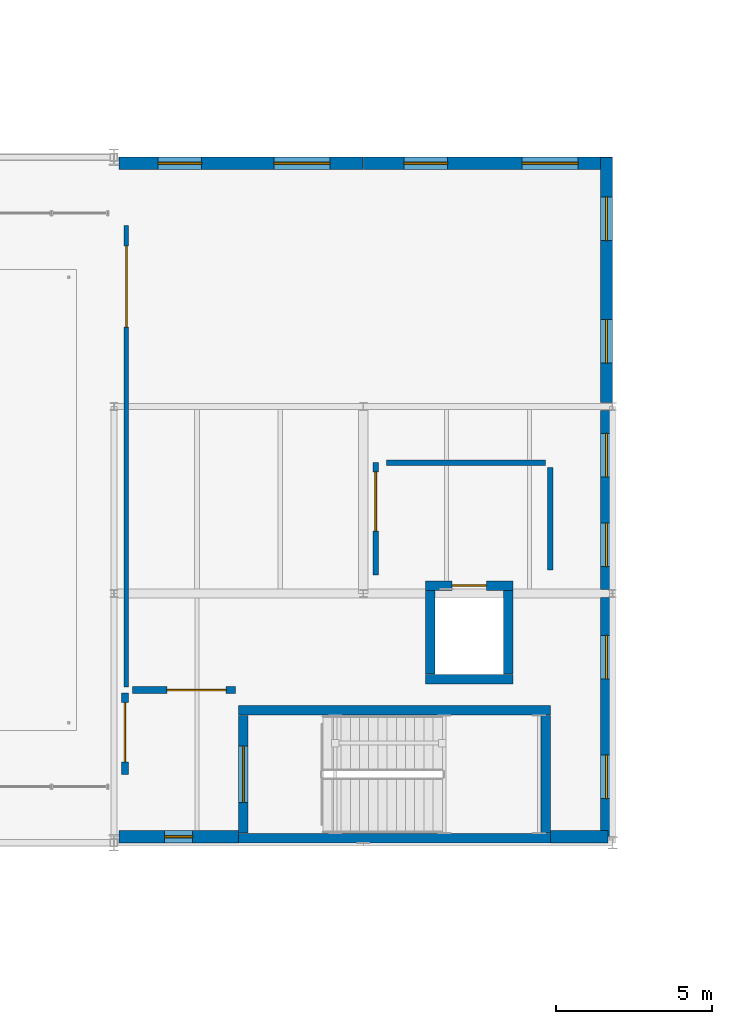
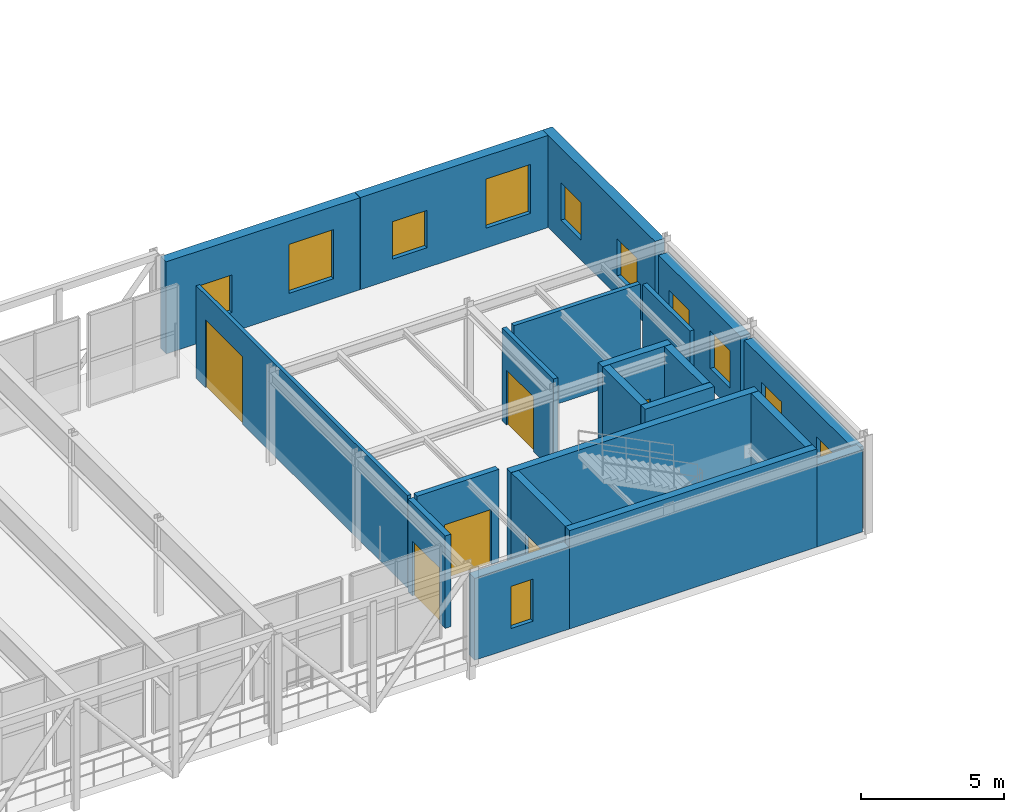
# One storey, part 80 of 124: 21 walls, 11 windows, 6 doors, 17 openings.
"""IFC4 building model written with IfcOpenShell, lengths in metres."""

from ifc_helpers import new_model, si_unit, direction, frame, frame_2d, origin, place, context, subcontext, project, spatial, rectangle, extrude, material, layer, layer_set, type_object, element, fill, save


model = new_model("IFC4")

# Units and contexts
model_context = context("Model", 3, precision=1e-05, world=origin(), true_north=direction((0.0, 1.0)))
body_context = subcontext(model_context, "Body", "Model", "MODEL_VIEW")
ifc_project = project(units=[si_unit("LENGTHUNIT", "METRE"), si_unit("AREAUNIT", "SQUARE_METRE"), si_unit("VOLUMEUNIT", "CUBIC_METRE"), si_unit("PLANEANGLEUNIT", "RADIAN"), si_unit("MASSUNIT", "GRAM", prefix="KILO")], contexts=[model_context])

# Site, building, storey
site_placement = place(None, origin())
site = spatial("IfcSite", under=ifc_project, at=site_placement, CompositionType="ELEMENT")
building_placement = place(site_placement, origin())
building = spatial("IfcBuilding", under=site, at=building_placement, Name="Sundkrona Museum", CompositionType="ELEMENT")
storey_placement = place(building_placement, frame((0.0, 0.0, 17.60009765625)))
storey = spatial("IfcBuildingStorey", under=building, at=storey_placement, Name="L03", CompositionType="ELEMENT", Elevation=17.60009765625)

# Walls
ifc_material_1 = material(Name="Concrete C40/50", Category="concrete")
ifc_layer_1 = layer(ifc_material_1, 0.300048828125)
ifc_layer_set_1 = layer_set([ifc_layer_1], Name="Concrete C40/50")
wall_type_1 = type_object("IfcWallType", Name="W-CORE-300", PredefinedType="SHEAR", material=ifc_layer_set_1)
for number, where, z_axis, x_axis, name in (
    (1, (28.0, 32.14990234375, 0.0), (0.0, 0.0, 1.0), (1.0, 0.0, 0.0), "L03 ST-4 Core Shear Wall South"),
    (2, (28.0, 36.25, 0.0), (0.0, 0.0, 1.0), (1.0, 0.0, 0.0), "L03 ST-4 Core Shear Wall North"),
):
    element("IfcWall", number, at=place(storey_placement, frame(where, z_axis=z_axis, x_axis=x_axis)), inside=storey, type_object=wall_type_1, Name=name, PredefinedType="SHEAR", context=body_context, shape_type="SweptSolid", body=[
        extrude(rectangle(XDim=10.0, YDim=0.300048828125, at=frame_2d((5.0, 0.0))), origin(), (0.0, 0.0, 1.0), 4.199951171875),
    ])

# Wall, opening, door
wall_1_placement = place(storey_placement, frame((28.14990234375, 32.31005859375, 0.0), z_axis=(0.0, 0.0, 1.0), x_axis=(0.0, 1.0, 0.0)))
wall_1 = element("IfcWall", 3, at=wall_1_placement, inside=storey, type_object=wall_type_1, Name="L03 ST-4 Core Shear Wall West", PredefinedType="SHEAR", context=body_context, shape_type="SweptSolid", body=[
    extrude(rectangle(XDim=3.780029296875, YDim=0.300048828125, at=frame_2d((1.89013671875, 0.0))), origin(), (0.0, 0.0, 1.0), 4.199951171875),
])
opening_1_placement = place(wall_1_placement, frame((0.989990234375, 0.0, 0.0)))
opening_1 = element("IfcOpeningElement", 4, at=opening_1_placement, cuts=wall_1, Name="Opening D-FD60", PredefinedType="OPENING", context=body_context, shape_type="SweptSolid", body=[
    extrude(rectangle(XDim=1.800048828125, YDim=2.199951171875, at=frame_2d((0.89990234375, 1.10009765625))), frame((0.0, 0.159912109375, 0.0), z_axis=(0.0, -1.0, 0.0), x_axis=(1.0, 0.0, 0.0)), (0.0, 0.0, 1.0), 0.320068359375),
])
ifc_material_2 = material(Name="Steel S355J2 Fire Door Leaf", Category="steel")
door_type_1 = type_object("IfcDoorType", Name="D-FD60", OperationType="DOUBLE_DOOR_SINGLE_SWING", PredefinedType="DOOR", material=ifc_material_2)
door_1_placement = place(opening_1_placement, origin())
door_1 = element("IfcDoor", 5, at=door_1_placement, inside=storey, type_object=door_type_1, Name="L03 ST-4 Protected Escape Stair Door DR-ST-4-L03", OperationType="DOUBLE_DOOR_SINGLE_SWING", OverallHeight=2.199951171875, OverallWidth=1.800048828125, PredefinedType="DOOR", context=body_context, shape_type="SweptSolid", body=[
    extrude(rectangle(XDim=1.800048828125, YDim=2.199951171875, at=frame_2d((0.89990234375, 1.10009765625))), frame((0.0, 0.02490234375, 0.0), z_axis=(0.0, -1.0, 0.0), x_axis=(1.0, 0.0, 0.0)), (0.0, 0.0, 1.0), 0.050048828125),
])
fill(opening_1, door_1)

# Walls
wall_2_placement = place(storey_placement, frame((37.85009765625, 32.31005859375, 0.0), z_axis=(0.0, 0.0, 1.0), x_axis=(0.0, 1.0, 0.0)))
element("IfcWall", 6, at=wall_2_placement, inside=storey, type_object=wall_type_1, Name="L03 ST-4 Core Shear Wall East", PredefinedType="SHEAR", context=body_context, shape_type="SweptSolid", body=[
    extrude(rectangle(XDim=3.780029296875, YDim=0.300048828125, at=frame_2d((1.89013671875, 0.0))), origin(), (0.0, 0.0, 1.0), 4.199951171875),
])
wall_3_placement = place(storey_placement, frame((34.0, 37.25, 0.0), z_axis=(0.0, 0.0, 1.0), x_axis=(1.0, 0.0, 0.0)))
element("IfcWall", 7, at=wall_3_placement, inside=storey, type_object=wall_type_1, Name="L03 PL-4 Lift Shaft Wall South", PredefinedType="SHEAR", context=body_context, shape_type="SweptSolid", body=[
    extrude(rectangle(XDim=2.800048828125, YDim=0.300048828125, at=frame_2d((1.39990234375, 0.0))), origin(), (0.0, 0.0, 1.0), 4.199951171875),
])

# Wall, opening, door
wall_4_placement = place(storey_placement, frame((34.0, 40.25, 0.0), z_axis=(0.0, 0.0, 1.0), x_axis=(1.0, 0.0, 0.0)))
wall_4 = element("IfcWall", 8, at=wall_4_placement, inside=storey, type_object=wall_type_1, Name="L03 PL-4 Lift Shaft Wall North", PredefinedType="SHEAR", context=body_context, shape_type="SweptSolid", body=[
    extrude(rectangle(XDim=2.800048828125, YDim=0.300048828125, at=frame_2d((1.39990234375, 0.0))), origin(), (0.0, 0.0, 1.0), 4.199951171875),
])
opening_2_placement = place(wall_4_placement, frame((0.85009765625, 0.0, 0.0)))
opening_2 = element("IfcOpeningElement", 9, at=opening_2_placement, cuts=wall_4, Name="Opening LD-01", PredefinedType="OPENING", context=body_context, shape_type="SweptSolid", body=[
    extrude(rectangle(XDim=1.10009765625, YDim=2.14990234375, at=frame_2d((0.550048828125, 1.074951171875))), frame((0.0, 0.159912109375, 0.0), z_axis=(0.0, -1.0, 0.0), x_axis=(1.0, 0.0, 0.0)), (0.0, 0.0, 1.0), 0.320068359375),
])
ifc_material_3 = material(Name="Brushed Stainless Steel Lift Door", Category="steel")
door_type_2 = type_object("IfcDoorType", Name="LD-01", OperationType="SLIDING_TO_LEFT", PredefinedType="DOOR", material=ifc_material_3)
door_2_placement = place(opening_2_placement, origin())
door_2 = element("IfcDoor", 10, at=door_2_placement, inside=storey, type_object=door_type_2, Name="L03 West Pavilion Passenger Lift PL-4 Landing Door DR-LIFT-PL-4-L03", OperationType="SLIDING_TO_LEFT", OverallHeight=2.14990234375, OverallWidth=1.10009765625, PredefinedType="DOOR", context=body_context, shape_type="SweptSolid", body=[
    extrude(rectangle(XDim=1.10009765625, YDim=2.14990234375, at=frame_2d((0.550048828125, 1.074951171875))), frame((0.0, 0.02490234375, 0.0), z_axis=(0.0, -1.0, 0.0), x_axis=(1.0, 0.0, 0.0)), (0.0, 0.0, 1.0), 0.050048828125),
])
fill(opening_2, door_2)

# Walls
for number, where, z_axis, x_axis, name in (
    (11, (34.14990234375, 37.409912109375, 0.0), (0.0, 0.0, 1.0), (0.0, 1.0, 0.0), "L03 PL-4 Lift Shaft Wall West"),
    (12, (36.64990234375, 37.409912109375, 0.0), (0.0, 0.0, 1.0), (0.0, 1.0, 0.0), "L03 PL-4 Lift Shaft Wall East"),
):
    element("IfcWall", number, at=place(storey_placement, frame(where, z_axis=z_axis, x_axis=x_axis)), inside=storey, type_object=wall_type_1, Name=name, PredefinedType="SHEAR", context=body_context, shape_type="SweptSolid", body=[
        extrude(rectangle(XDim=2.68017578125, YDim=0.300048828125, at=frame_2d((1.340087890625, 0.0))), origin(), (0.0, 0.0, 1.0), 4.199951171875),
    ])

# Wall, opening, window
ifc_material_4 = material(Name="Scanian Polychrome Clay Brickwork 390 mm", Category="masonry")
ifc_layer_2 = layer(ifc_material_4, 0.389892578125)
ifc_layer_set_2 = layer_set([ifc_layer_2], Name="Scanian Polychrome Clay Brickwork 390 mm")
wall_type_2 = type_object("IfcWallType", Name="W-EX-390", PredefinedType="SOLIDWALL", material=ifc_layer_set_2)
wall_5_placement = place(storey_placement, frame((27.989990234375, 32.195068359375, 0.0), z_axis=(0.0, 0.0, 1.0), x_axis=(-1.0, 0.0, 0.0)))
wall_5 = element("IfcWall", 13, at=wall_5_placement, inside=storey, type_object=wall_type_2, Name="L03 Facade Wall 0232", PredefinedType="SOLIDWALL", context=body_context, shape_type="SweptSolid", body=[
    extrude(rectangle(XDim=3.8349609375, YDim=0.389892578125, at=frame_2d((1.91748046875, 0.0))), origin(), (0.0, 0.0, 1.0), 3.5048828125),
])
opening_3_placement = place(wall_5_placement, frame((1.467529296875, 0.0, 0.85009765625)))
opening_3 = element("IfcOpeningElement", 14, at=opening_3_placement, cuts=wall_5, Name="Opening WN-ST-090x180", PredefinedType="OPENING", context=body_context, shape_type="SweptSolid", body=[
    extrude(rectangle(XDim=0.89990234375, YDim=1.800048828125, at=frame_2d((0.449951171875, 0.89990234375))), frame((0.0, 0.204833984375, 0.0), z_axis=(0.0, -1.0, 0.0), x_axis=(1.0, 0.0, 0.0)), (0.0, 0.0, 1.0), 0.409912109375),
])
ifc_material_5 = material(Name="Triple Low-E Argon Glazing in Bronze-Anodised Aluminium", Category="aluminium")
window_type_1 = type_object("IfcWindowType", Name="WN-ST-090x180", PartitioningType="SINGLE_PANEL", PredefinedType="WINDOW", material=ifc_material_5)
window_1_placement = place(opening_3_placement, origin())
window_1 = element("IfcWindow", 15, at=window_1_placement, inside=storey, type_object=window_type_1, Name="L03 Stair-core avenue daylight slot window 900x1800 WIN-L03-0320", OverallHeight=1.800048828125, OverallWidth=0.89990234375, PartitioningType="SINGLE_PANEL", PredefinedType="WINDOW", context=body_context, shape_type="SweptSolid", body=[
    extrude(rectangle(XDim=0.89990234375, YDim=1.800048828125, at=frame_2d((0.449951171875, 0.89990234375))), frame((0.0, 0.030029296875, 0.0), z_axis=(0.0, -1.0, 0.0), x_axis=(1.0, 0.0, 0.0)), (0.0, 0.0, 1.0), 0.06005859375),
])
fill(opening_3, window_1)

# Wall
wall_6_placement = place(storey_placement, frame((39.843994140625, 32.195068359375, 0.0), z_axis=(0.0, 0.0, 1.0), x_axis=(-1.0, 0.0, 0.0)))
element("IfcWall", 16, at=wall_6_placement, inside=storey, type_object=wall_type_2, Name="L03 Facade Wall 0233", PredefinedType="SOLIDWALL", context=body_context, shape_type="SweptSolid", body=[
    extrude(rectangle(XDim=1.833984375, YDim=0.389892578125, at=frame_2d((0.9169921875, 0.0))), origin(), (0.0, 0.0, 1.0), 3.5048828125),
])

# Wall, openings, windows
wall_7_placement = place(storey_placement, frame((24.155029296875, 53.804931640625, 0.0), z_axis=(0.0, 0.0, 1.0), x_axis=(1.0, 0.0, 0.0)))
wall_7 = element("IfcWall", 17, at=wall_7_placement, inside=storey, type_object=wall_type_2, Name="L03 Facade Wall 0234", PredefinedType="SOLIDWALL", context=body_context, shape_type="SweptSolid", body=[
    extrude(rectangle(XDim=7.8349609375, YDim=0.389892578125, at=frame_2d((3.91748046875, 0.0))), origin(), (0.0, 0.0, 1.0), 3.93994140625),
])
opening_4_placement = place(wall_7_placement, frame((1.2587890625, 0.0, 0.85009765625)))
opening_4 = element("IfcOpeningElement", 18, at=opening_4_placement, cuts=wall_7, Name="Opening WN-LB-140x160", PredefinedType="OPENING", context=body_context, shape_type="SweptSolid", body=[
    extrude(rectangle(XDim=1.39990234375, YDim=1.60009765625, at=frame_2d((0.699951171875, 0.800048828125))), frame((0.0, 0.204833984375, 0.0), z_axis=(0.0, -1.0, 0.0), x_axis=(1.0, 0.0, 0.0)), (0.0, 0.0, 1.0), 0.409912109375),
])
opening_5_placement = place(wall_7_placement, frame((4.976318359375, 0.0, 0.85009765625)))
opening_5 = element("IfcOpeningElement", 19, at=opening_5_placement, cuts=wall_7, Name="Opening WN-ED-180x210", PredefinedType="OPENING", context=body_context, shape_type="SweptSolid", body=[
    extrude(rectangle(XDim=1.800048828125, YDim=2.10009765625, at=frame_2d((0.89990234375, 1.050048828125))), frame((0.0, 0.204833984375, 0.0), z_axis=(0.0, -1.0, 0.0), x_axis=(1.0, 0.0, 0.0)), (0.0, 0.0, 1.0), 0.409912109375),
])
window_type_2 = type_object("IfcWindowType", Name="WN-ED-180x210", PartitioningType="DOUBLE_PANEL_VERTICAL", PredefinedType="WINDOW", material=ifc_material_5)
window_2_placement = place(opening_5_placement, origin())
window_2 = element("IfcWindow", 20, at=window_2_placement, inside=storey, type_object=window_type_2, Name="L03 Education studio courtyard window 1800x2100 WIN-L03-0322", OverallHeight=2.10009765625, OverallWidth=1.800048828125, PartitioningType="DOUBLE_PANEL_VERTICAL", PredefinedType="WINDOW", context=body_context, shape_type="SweptSolid", body=[
    extrude(rectangle(XDim=1.800048828125, YDim=2.10009765625, at=frame_2d((0.89990234375, 1.050048828125))), frame((0.0, 0.030029296875, 0.0), z_axis=(0.0, -1.0, 0.0), x_axis=(1.0, 0.0, 0.0)), (0.0, 0.0, 1.0), 0.06005859375),
])
fill(opening_5, window_2)
window_type_3 = type_object("IfcWindowType", Name="WN-LB-140x160", PartitioningType="SINGLE_PANEL", PredefinedType="WINDOW", material=ifc_material_5)
window_3_placement = place(opening_4_placement, origin())
window_3 = element("IfcWindow", 21, at=window_3_placement, inside=storey, type_object=window_type_3, Name="L03 Curatorial study window 1400x1600 WIN-L03-0321", OverallHeight=1.60009765625, OverallWidth=1.39990234375, PartitioningType="SINGLE_PANEL", PredefinedType="WINDOW", context=body_context, shape_type="SweptSolid", body=[
    extrude(rectangle(XDim=1.39990234375, YDim=1.60009765625, at=frame_2d((0.699951171875, 0.800048828125))), frame((0.0, 0.030029296875, 0.0), z_axis=(0.0, -1.0, 0.0), x_axis=(1.0, 0.0, 0.0)), (0.0, 0.0, 1.0), 0.06005859375),
])
fill(opening_4, window_3)

wall_8_placement = place(storey_placement, frame((32.010009765625, 53.804931640625, 0.0), z_axis=(0.0, 0.0, 1.0), x_axis=(1.0, 0.0, 0.0)))
wall_8 = element("IfcWall", 22, at=wall_8_placement, inside=storey, type_object=wall_type_2, Name="L03 Facade Wall 0235", PredefinedType="SOLIDWALL", context=body_context, shape_type="SweptSolid", body=[
    extrude(rectangle(XDim=7.97998046875, YDim=0.389892578125, at=frame_2d((3.989990234375, 0.0))), origin(), (0.0, 0.0, 1.0), 3.93994140625),
])
opening_6_placement = place(wall_8_placement, frame((1.294921875, 0.0, 0.85009765625)))
opening_6 = element("IfcOpeningElement", 23, at=opening_6_placement, cuts=wall_8, Name="Opening WN-LB-140x160", PredefinedType="OPENING", context=body_context, shape_type="SweptSolid", body=[
    extrude(rectangle(XDim=1.39990234375, YDim=1.60009765625, at=frame_2d((0.699951171875, 0.800048828125))), frame((0.0, 0.204833984375, 0.0), z_axis=(0.0, -1.0, 0.0), x_axis=(1.0, 0.0, 0.0)), (0.0, 0.0, 1.0), 0.409912109375),
])
opening_7_placement = place(wall_8_placement, frame((5.0849609375, 0.0, 0.85009765625)))
opening_7 = element("IfcOpeningElement", 24, at=opening_7_placement, cuts=wall_8, Name="Opening WN-ED-180x210", PredefinedType="OPENING", context=body_context, shape_type="SweptSolid", body=[
    extrude(rectangle(XDim=1.800048828125, YDim=2.10009765625, at=frame_2d((0.89990234375, 1.050048828125))), frame((0.0, 0.204833984375, 0.0), z_axis=(0.0, -1.0, 0.0), x_axis=(1.0, 0.0, 0.0)), (0.0, 0.0, 1.0), 0.409912109375),
])
window_4_placement = place(opening_7_placement, origin())
window_4 = element("IfcWindow", 25, at=window_4_placement, inside=storey, type_object=window_type_2, Name="L03 Education studio courtyard window 1800x2100 WIN-L03-0324", OverallHeight=2.10009765625, OverallWidth=1.800048828125, PartitioningType="DOUBLE_PANEL_VERTICAL", PredefinedType="WINDOW", context=body_context, shape_type="SweptSolid", body=[
    extrude(rectangle(XDim=1.800048828125, YDim=2.10009765625, at=frame_2d((0.89990234375, 1.050048828125))), frame((0.0, 0.030029296875, 0.0), z_axis=(0.0, -1.0, 0.0), x_axis=(1.0, 0.0, 0.0)), (0.0, 0.0, 1.0), 0.06005859375),
])
fill(opening_7, window_4)
window_5_placement = place(opening_6_placement, origin())
window_5 = element("IfcWindow", 26, at=window_5_placement, inside=storey, type_object=window_type_3, Name="L03 Curatorial study window 1400x1600 WIN-L03-0323", OverallHeight=1.60009765625, OverallWidth=1.39990234375, PartitioningType="SINGLE_PANEL", PredefinedType="WINDOW", context=body_context, shape_type="SweptSolid", body=[
    extrude(rectangle(XDim=1.39990234375, YDim=1.60009765625, at=frame_2d((0.699951171875, 0.800048828125))), frame((0.0, 0.030029296875, 0.0), z_axis=(0.0, -1.0, 0.0), x_axis=(1.0, 0.0, 0.0)), (0.0, 0.0, 1.0), 0.06005859375),
])
fill(opening_6, window_5)

wall_9_placement = place(storey_placement, frame((39.804931640625, 39.8779296875, 0.0), z_axis=(0.0, 0.0, 1.0), x_axis=(0.0, -1.0, 0.0)))
wall_9 = element("IfcWall", 27, at=wall_9_placement, inside=storey, type_object=wall_type_2, Name="L03 Facade Wall 0236", PredefinedType="SOLIDWALL", context=body_context, shape_type="SweptSolid", body=[
    extrude(rectangle(XDim=7.678466796875, YDim=0.389892578125, at=frame_2d((3.83935546875, 0.0))), origin(), (0.0, 0.0, 1.0), 3.5048828125),
])
opening_8_placement = place(wall_9_placement, frame((1.219482421875, 0.0, 0.85009765625)))
opening_8 = element("IfcOpeningElement", 28, at=opening_8_placement, cuts=wall_9, Name="Opening WN-LB-140x160", PredefinedType="OPENING", context=body_context, shape_type="SweptSolid", body=[
    extrude(rectangle(XDim=1.39990234375, YDim=1.60009765625, at=frame_2d((0.699951171875, 0.800048828125))), frame((0.0, 0.204833984375, 0.0), z_axis=(0.0, -1.0, 0.0), x_axis=(1.0, 0.0, 0.0)), (0.0, 0.0, 1.0), 0.409912109375),
])
opening_9_placement = place(wall_9_placement, frame((5.058837890625, 0.0, 0.85009765625)))
opening_9 = element("IfcOpeningElement", 29, at=opening_9_placement, cuts=wall_9, Name="Opening WN-LB-140x160", PredefinedType="OPENING", context=body_context, shape_type="SweptSolid", body=[
    extrude(rectangle(XDim=1.39990234375, YDim=1.60009765625, at=frame_2d((0.699951171875, 0.800048828125))), frame((0.0, 0.204833984375, 0.0), z_axis=(0.0, -1.0, 0.0), x_axis=(1.0, 0.0, 0.0)), (0.0, 0.0, 1.0), 0.409912109375),
])
window_6_placement = place(opening_8_placement, origin())
window_6 = element("IfcWindow", 30, at=window_6_placement, inside=storey, type_object=window_type_3, Name="L03 Curatorial study window 1400x1600 WIN-L03-0325", OverallHeight=1.60009765625, OverallWidth=1.39990234375, PartitioningType="SINGLE_PANEL", PredefinedType="WINDOW", context=body_context, shape_type="SweptSolid", body=[
    extrude(rectangle(XDim=1.39990234375, YDim=1.60009765625, at=frame_2d((0.699951171875, 0.800048828125))), frame((0.0, 0.030029296875, 0.0), z_axis=(0.0, -1.0, 0.0), x_axis=(1.0, 0.0, 0.0)), (0.0, 0.0, 1.0), 0.06005859375),
])
fill(opening_8, window_6)
window_7_placement = place(opening_9_placement, origin())
window_7 = element("IfcWindow", 31, at=window_7_placement, inside=storey, type_object=window_type_3, Name="L03 Curatorial study window 1400x1600 WIN-L03-0326", OverallHeight=1.60009765625, OverallWidth=1.39990234375, PartitioningType="SINGLE_PANEL", PredefinedType="WINDOW", context=body_context, shape_type="SweptSolid", body=[
    extrude(rectangle(XDim=1.39990234375, YDim=1.60009765625, at=frame_2d((0.699951171875, 0.800048828125))), frame((0.0, 0.030029296875, 0.0), z_axis=(0.0, -1.0, 0.0), x_axis=(1.0, 0.0, 0.0)), (0.0, 0.0, 1.0), 0.06005859375),
])
fill(opening_9, window_7)

wall_10_placement = place(storey_placement, frame((39.804931640625, 45.8779296875, 0.0), z_axis=(0.0, 0.0, 1.0), x_axis=(0.0, -1.0, 0.0)))
wall_10 = element("IfcWall", 32, at=wall_10_placement, inside=storey, type_object=wall_type_2, Name="L03 Facade Wall 0237", PredefinedType="SOLIDWALL", context=body_context, shape_type="SweptSolid", body=[
    extrude(rectangle(XDim=5.755859375, YDim=0.389892578125, at=frame_2d((2.8779296875, 0.0))), origin(), (0.0, 0.0, 1.0), 3.5048828125),
])
opening_10_placement = place(wall_10_placement, frame((0.739013671875, 0.0, 0.85009765625)))
opening_10 = element("IfcOpeningElement", 33, at=opening_10_placement, cuts=wall_10, Name="Opening WN-LB-140x160", PredefinedType="OPENING", context=body_context, shape_type="SweptSolid", body=[
    extrude(rectangle(XDim=1.39990234375, YDim=1.60009765625, at=frame_2d((0.699951171875, 0.800048828125))), frame((0.0, 0.204833984375, 0.0), z_axis=(0.0, -1.0, 0.0), x_axis=(1.0, 0.0, 0.0)), (0.0, 0.0, 1.0), 0.409912109375),
])
opening_11_placement = place(wall_10_placement, frame((3.616943359375, 0.0, 0.85009765625)))
opening_11 = element("IfcOpeningElement", 34, at=opening_11_placement, cuts=wall_10, Name="Opening WN-LB-140x160", PredefinedType="OPENING", context=body_context, shape_type="SweptSolid", body=[
    extrude(rectangle(XDim=1.39990234375, YDim=1.60009765625, at=frame_2d((0.699951171875, 0.800048828125))), frame((0.0, 0.204833984375, 0.0), z_axis=(0.0, -1.0, 0.0), x_axis=(1.0, 0.0, 0.0)), (0.0, 0.0, 1.0), 0.409912109375),
])
window_8_placement = place(opening_10_placement, origin())
window_8 = element("IfcWindow", 35, at=window_8_placement, inside=storey, type_object=window_type_3, Name="L03 Curatorial study window 1400x1600 WIN-L03-0327", OverallHeight=1.60009765625, OverallWidth=1.39990234375, PartitioningType="SINGLE_PANEL", PredefinedType="WINDOW", context=body_context, shape_type="SweptSolid", body=[
    extrude(rectangle(XDim=1.39990234375, YDim=1.60009765625, at=frame_2d((0.699951171875, 0.800048828125))), frame((0.0, 0.030029296875, 0.0), z_axis=(0.0, -1.0, 0.0), x_axis=(1.0, 0.0, 0.0)), (0.0, 0.0, 1.0), 0.06005859375),
])
fill(opening_10, window_8)
window_9_placement = place(opening_11_placement, origin())
window_9 = element("IfcWindow", 36, at=window_9_placement, inside=storey, type_object=window_type_3, Name="L03 Curatorial study window 1400x1600 WIN-L03-0328", OverallHeight=1.60009765625, OverallWidth=1.39990234375, PartitioningType="SINGLE_PANEL", PredefinedType="WINDOW", context=body_context, shape_type="SweptSolid", body=[
    extrude(rectangle(XDim=1.39990234375, YDim=1.60009765625, at=frame_2d((0.699951171875, 0.800048828125))), frame((0.0, 0.030029296875, 0.0), z_axis=(0.0, -1.0, 0.0), x_axis=(1.0, 0.0, 0.0)), (0.0, 0.0, 1.0), 0.06005859375),
])
fill(opening_11, window_9)

wall_11_placement = place(storey_placement, frame((39.804931640625, 53.989990234375, 0.0), z_axis=(0.0, 0.0, 1.0), x_axis=(0.0, -1.0, 0.0)))
wall_11 = element("IfcWall", 37, at=wall_11_placement, inside=storey, type_object=wall_type_2, Name="L03 Facade Wall 0238", PredefinedType="SOLIDWALL", context=body_context, shape_type="SweptSolid", body=[
    extrude(rectangle(XDim=7.867919921875, YDim=0.389892578125, at=frame_2d((3.93408203125, 0.0))), origin(), (0.0, 0.0, 1.0), 3.93994140625),
])
opening_12_placement = place(wall_11_placement, frame((1.26708984375, 0.0, 0.85009765625)))
opening_12 = element("IfcOpeningElement", 38, at=opening_12_placement, cuts=wall_11, Name="Opening WN-LB-140x160", PredefinedType="OPENING", context=body_context, shape_type="SweptSolid", body=[
    extrude(rectangle(XDim=1.39990234375, YDim=1.60009765625, at=frame_2d((0.699951171875, 0.800048828125))), frame((0.0, 0.204833984375, 0.0), z_axis=(0.0, -1.0, 0.0), x_axis=(1.0, 0.0, 0.0)), (0.0, 0.0, 1.0), 0.409912109375),
])
opening_13_placement = place(wall_11_placement, frame((5.200927734375, 0.0, 0.85009765625)))
opening_13 = element("IfcOpeningElement", 39, at=opening_13_placement, cuts=wall_11, Name="Opening WN-LB-140x160", PredefinedType="OPENING", context=body_context, shape_type="SweptSolid", body=[
    extrude(rectangle(XDim=1.39990234375, YDim=1.60009765625, at=frame_2d((0.699951171875, 0.800048828125))), frame((0.0, 0.204833984375, 0.0), z_axis=(0.0, -1.0, 0.0), x_axis=(1.0, 0.0, 0.0)), (0.0, 0.0, 1.0), 0.409912109375),
])
window_10_placement = place(opening_12_placement, origin())
window_10 = element("IfcWindow", 40, at=window_10_placement, inside=storey, type_object=window_type_3, Name="L03 Curatorial study window 1400x1600 WIN-L03-0329", OverallHeight=1.60009765625, OverallWidth=1.39990234375, PartitioningType="SINGLE_PANEL", PredefinedType="WINDOW", context=body_context, shape_type="SweptSolid", body=[
    extrude(rectangle(XDim=1.39990234375, YDim=1.60009765625, at=frame_2d((0.699951171875, 0.800048828125))), frame((0.0, 0.030029296875, 0.0), z_axis=(0.0, -1.0, 0.0), x_axis=(1.0, 0.0, 0.0)), (0.0, 0.0, 1.0), 0.06005859375),
])
fill(opening_12, window_10)
window_11_placement = place(opening_13_placement, origin())
window_11 = element("IfcWindow", 41, at=window_11_placement, inside=storey, type_object=window_type_3, Name="L03 Curatorial study window 1400x1600 WIN-L03-0330", OverallHeight=1.60009765625, OverallWidth=1.39990234375, PartitioningType="SINGLE_PANEL", PredefinedType="WINDOW", context=body_context, shape_type="SweptSolid", body=[
    extrude(rectangle(XDim=1.39990234375, YDim=1.60009765625, at=frame_2d((0.699951171875, 0.800048828125))), frame((0.0, 0.030029296875, 0.0), z_axis=(0.0, -1.0, 0.0), x_axis=(1.0, 0.0, 0.0)), (0.0, 0.0, 1.0), 0.06005859375),
])
fill(opening_13, window_11)

# Wall, opening, door
ifc_material_6 = material(Name="Autoclaved Aerated Masonry 225 mm", Category="masonry")
ifc_layer_3 = layer(ifc_material_6, 0.22509765625)
ifc_layer_set_3 = layer_set([ifc_layer_3], Name="Autoclaved Aerated Masonry 225 mm")
wall_type_3 = type_object("IfcWallType", Name="W-FF-225", PredefinedType="SOLIDWALL", material=ifc_layer_set_3)
wall_12_placement = place(storey_placement, frame((24.60009765625, 36.89990234375, 0.0), z_axis=(0.0, 0.0, 1.0), x_axis=(1.0, 0.0, 0.0)))
wall_12 = element("IfcWall", 42, at=wall_12_placement, inside=storey, type_object=wall_type_3, Name="L03 Partition Core 4 Stair Lobby / West Pavilion Spine", PredefinedType="SOLIDWALL", context=body_context, shape_type="SweptSolid", body=[
    extrude(rectangle(XDim=3.2998046875, YDim=0.22509765625, at=frame_2d((1.64990234375, 0.0))), origin(), (0.0, 0.0, 1.0), 3.9599609375),
])
opening_14_placement = place(wall_12_placement, frame((1.10009765625, 0.0, 0.0)))
opening_14 = element("IfcOpeningElement", 43, at=opening_14_placement, cuts=wall_12, Name="Opening D-AUD-190", PredefinedType="OPENING", context=body_context, shape_type="SweptSolid", body=[
    extrude(rectangle(XDim=1.89990234375, YDim=2.35009765625, at=frame_2d((0.949951171875, 1.175048828125))), frame((0.0, 0.12255859375, 0.0), z_axis=(0.0, -1.0, 0.0), x_axis=(1.0, 0.0, 0.0)), (0.0, 0.0, 1.0), 0.2451171875),
])
ifc_material_7 = material(Name="Acoustic Oak Fire Door", Category="other")
door_type_3 = type_object("IfcDoorType", Name="D-AUD-190", OperationType="DOUBLE_DOOR_SINGLE_SWING", PredefinedType="DOOR", material=ifc_material_7)
door_3_placement = place(opening_14_placement, origin())
door_3 = element("IfcDoor", 44, at=door_3_placement, inside=storey, type_object=door_type_3, Name="L03 Interior Door DR-ADJ-L03-0161", OperationType="DOUBLE_DOOR_SINGLE_SWING", OverallHeight=2.35009765625, OverallWidth=1.89990234375, PredefinedType="DOOR", context=body_context, shape_type="SweptSolid", body=[
    extrude(rectangle(XDim=1.89990234375, YDim=2.35009765625, at=frame_2d((0.949951171875, 1.175048828125))), frame((0.0, 0.02490234375, 0.0), z_axis=(0.0, -1.0, 0.0), x_axis=(1.0, 0.0, 0.0)), (0.0, 0.0, 1.0), 0.050048828125),
])
fill(opening_14, door_3)

wall_13_placement = place(storey_placement, frame((24.35009765625, 34.199951171875, 0.0), z_axis=(0.0, 0.0, 1.0), x_axis=(0.0, 1.0, 0.0)))
wall_13 = element("IfcWall", 45, at=wall_13_placement, inside=storey, type_object=wall_type_3, Name="L03 Partition Core 4 Stair Lobby / Marine Biology Gallery", PredefinedType="SOLIDWALL", context=body_context, shape_type="SweptSolid", body=[
    extrude(rectangle(XDim=2.60009765625, YDim=0.22509765625, at=frame_2d((1.300048828125, 0.0))), origin(), (0.0, 0.0, 1.0), 3.9599609375),
])
opening_15_placement = place(wall_13_placement, frame((0.39990234375, 0.0, 0.0)))
opening_15 = element("IfcOpeningElement", 46, at=opening_15_placement, cuts=wall_13, Name="Opening D-AUD-190", PredefinedType="OPENING", context=body_context, shape_type="SweptSolid", body=[
    extrude(rectangle(XDim=1.89990234375, YDim=2.35009765625, at=frame_2d((0.949951171875, 1.175048828125))), frame((0.0, 0.12255859375, 0.0), z_axis=(0.0, -1.0, 0.0), x_axis=(1.0, 0.0, 0.0)), (0.0, 0.0, 1.0), 0.2451171875),
])
door_4_placement = place(opening_15_placement, origin())
door_4 = element("IfcDoor", 47, at=door_4_placement, inside=storey, type_object=door_type_3, Name="L03 Interior Door DR-ADJ-L03-0162", OperationType="DOUBLE_DOOR_SINGLE_SWING", OverallHeight=2.35009765625, OverallWidth=1.89990234375, PredefinedType="DOOR", context=body_context, shape_type="SweptSolid", body=[
    extrude(rectangle(XDim=1.89990234375, YDim=2.35009765625, at=frame_2d((0.949951171875, 1.175048828125))), frame((0.0, 0.02490234375, 0.0), z_axis=(0.0, -1.0, 0.0), x_axis=(1.0, 0.0, 0.0)), (0.0, 0.0, 1.0), 0.050048828125),
])
fill(opening_15, door_4)

ifc_material_8 = material(Name="Acoustic Gypsum Partition Board 150 mm", Category="other")
ifc_layer_4 = layer(ifc_material_8, 0.14990234375)
ifc_layer_set_4 = layer_set([ifc_layer_4], Name="Acoustic Gypsum Partition Board 150 mm")
wall_type_4 = type_object("IfcWallType", Name="W-PT-150", PredefinedType="PARTITIONING", material=ifc_layer_set_4)
wall_14_placement = place(storey_placement, frame((24.39990234375, 37.0, 0.0), z_axis=(0.0, 0.0, 1.0), x_axis=(0.0, 1.0, 0.0)))
wall_14 = element("IfcWall", 48, at=wall_14_placement, inside=storey, type_object=wall_type_4, Name="L03 Partition West Pavilion Spine / Marine Biology Gallery", PredefinedType="PARTITIONING", context=body_context, shape_type="SweptSolid", body=[
    extrude(rectangle(XDim=14.800048828125, YDim=0.14990234375, at=frame_2d((7.39990234375, 0.0))), origin(), (0.0, 0.0, 1.0), 3.9599609375),
])
opening_16_placement = place(wall_14_placement, frame((11.548583984375, 0.0, 0.0)))
opening_16 = element("IfcOpeningElement", 49, at=opening_16_placement, cuts=wall_14, Name="Opening D-GAL-260", PredefinedType="OPENING", context=body_context, shape_type="SweptSolid", body=[
    extrude(rectangle(XDim=2.60009765625, YDim=2.89990234375, at=frame_2d((1.300048828125, 1.449951171875))), frame((0.0, 0.0849609375, 0.0), z_axis=(0.0, -1.0, 0.0), x_axis=(1.0, 0.0, 0.0)), (0.0, 0.0, 1.0), 0.169921875),
])
ifc_material_9 = material(Name="European Oak and Bronze Portal", Category="other")
door_type_4 = type_object("IfcDoorType", Name="D-GAL-260", OperationType="DOUBLE_DOOR_DOUBLE_SWING", PredefinedType="DOOR", material=ifc_material_9)
door_5_placement = place(opening_16_placement, origin())
door_5 = element("IfcDoor", 50, at=door_5_placement, inside=storey, type_object=door_type_4, Name="L03 Interior Door DR-ADJ-L03-0176", OperationType="DOUBLE_DOOR_DOUBLE_SWING", OverallHeight=2.89990234375, OverallWidth=2.60009765625, PredefinedType="DOOR", context=body_context, shape_type="SweptSolid", body=[
    extrude(rectangle(XDim=2.60009765625, YDim=2.89990234375, at=frame_2d((1.300048828125, 1.449951171875))), frame((0.0, 0.02490234375, 0.0), z_axis=(0.0, -1.0, 0.0), x_axis=(1.0, 0.0, 0.0)), (0.0, 0.0, 1.0), 0.050048828125),
])
fill(opening_16, door_5)

ifc_material_10 = material(Name="Fire-rated Gypsum Partition Board 175 mm", Category="other")
ifc_layer_5 = layer(ifc_material_10, 0.175048828125)
ifc_layer_set_5 = layer_set([ifc_layer_5], Name="Fire-rated Gypsum Partition Board 175 mm")
wall_type_5 = type_object("IfcWallType", Name="W-PT-175", PredefinedType="PARTITIONING", material=ifc_layer_set_5)
wall_15_placement = place(storey_placement, frame((32.39990234375, 40.60009765625, 0.0), z_axis=(0.0, 0.0, 1.0), x_axis=(0.0, 1.0, 0.0)))
wall_15 = element("IfcWall", 51, at=wall_15_placement, inside=storey, type_object=wall_type_5, Name="L03 Partition West Pavilion Lift Lobby / West Pavilion Spine", PredefinedType="PARTITIONING", context=body_context, shape_type="SweptSolid", body=[
    extrude(rectangle(XDim=3.599853515625, YDim=0.175048828125, at=frame_2d((1.7998046875, 0.0))), origin(), (0.0, 0.0, 1.0), 3.9599609375),
])
opening_17_placement = place(wall_15_placement, frame((1.39990234375, 0.0, 0.0)))
opening_17 = element("IfcOpeningElement", 52, at=opening_17_placement, cuts=wall_15, Name="Opening D-AUD-190", PredefinedType="OPENING", context=body_context, shape_type="SweptSolid", body=[
    extrude(rectangle(XDim=1.89990234375, YDim=2.35009765625, at=frame_2d((0.949951171875, 1.175048828125))), frame((0.0, 0.097412109375, 0.0), z_axis=(0.0, -1.0, 0.0), x_axis=(1.0, 0.0, 0.0)), (0.0, 0.0, 1.0), 0.195068359375),
])
door_6_placement = place(opening_17_placement, origin())
door_6 = element("IfcDoor", 53, at=door_6_placement, inside=storey, type_object=door_type_3, Name="L03 Interior Door DR-ADJ-L03-0163", OperationType="DOUBLE_DOOR_SINGLE_SWING", OverallHeight=2.35009765625, OverallWidth=1.89990234375, PredefinedType="DOOR", context=body_context, shape_type="SweptSolid", body=[
    extrude(rectangle(XDim=1.89990234375, YDim=2.35009765625, at=frame_2d((0.949951171875, 1.175048828125))), frame((0.0, 0.02490234375, 0.0), z_axis=(0.0, -1.0, 0.0), x_axis=(1.0, 0.0, 0.0)), (0.0, 0.0, 1.0), 0.050048828125),
])
fill(opening_17, door_6)

# Walls
wall_16_placement = place(storey_placement, frame((32.75, 44.199951171875, 0.0), z_axis=(0.0, 0.0, 1.0), x_axis=(1.0, 0.0, 0.0)))
element("IfcWall", 54, at=wall_16_placement, inside=storey, type_object=wall_type_5, Name="L03 West Pavilion Lift Lobby Enclosure Wall N", PredefinedType="PARTITIONING", context=body_context, shape_type="SweptSolid", body=[
    extrude(rectangle(XDim=5.10009765625, YDim=0.175048828125, at=frame_2d((2.550048828125, 0.0))), origin(), (0.0, 0.0, 1.0), 3.9599609375),
])
wall_17_placement = place(storey_placement, frame((38.0, 40.75, 0.0), z_axis=(0.0, 0.0, 1.0), x_axis=(0.0, 1.0, 0.0)))
element("IfcWall", 55, at=wall_17_placement, inside=storey, type_object=wall_type_5, Name="L03 West Pavilion Lift Lobby Enclosure Wall E", PredefinedType="PARTITIONING", context=body_context, shape_type="SweptSolid", body=[
    extrude(rectangle(XDim=3.300048828125, YDim=0.175048828125, at=frame_2d((1.64990234375, 0.0))), origin(), (0.0, 0.0, 1.0), 3.9599609375),
])

save(model, "model.ifc")
